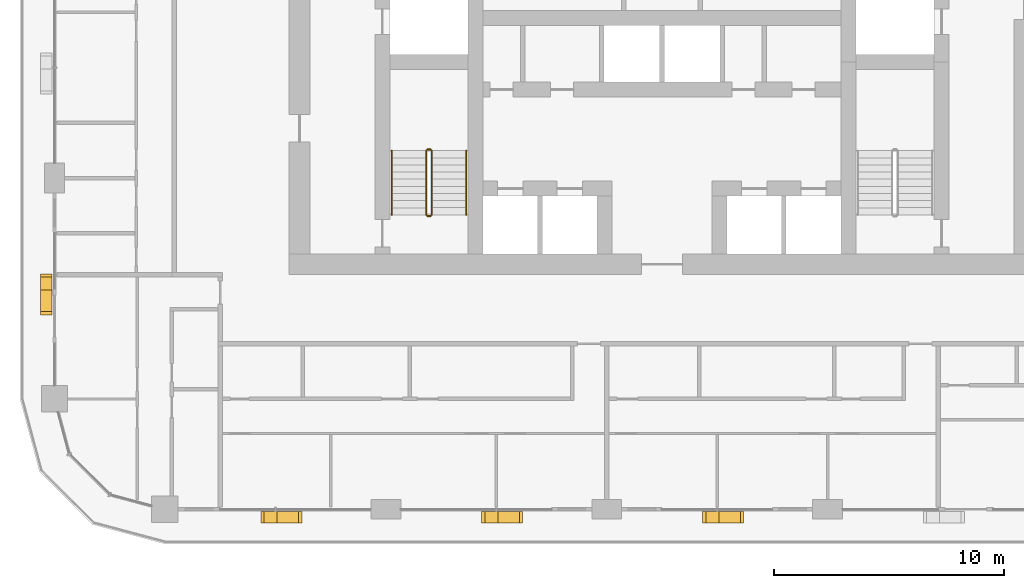
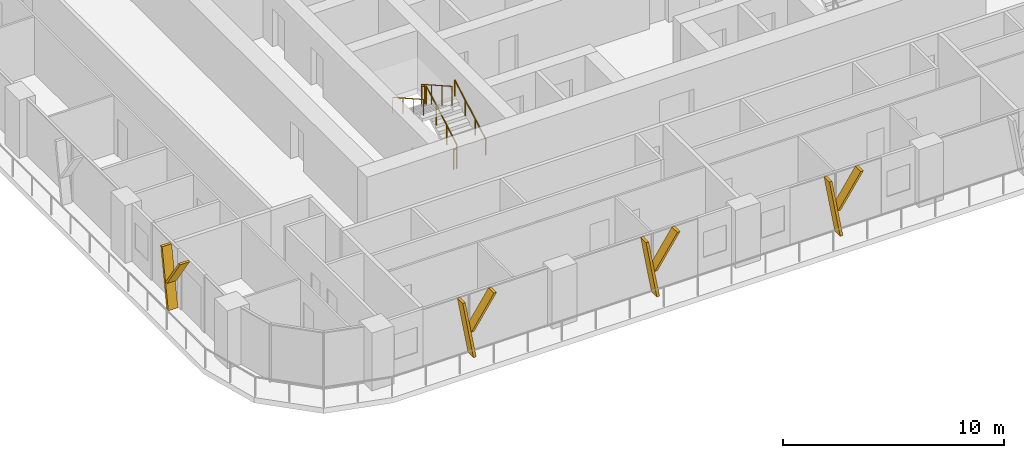
# One storey, part 16 of 21: 8 shading devices, 6 railings.
"""IFC4 building model written with IfcOpenShell, lengths in metres."""

import ifcopenshell
import ifcopenshell.guid

model = None  # the IFC model being written
_history = None  # IfcOwnerHistory: only IFC2X3 demands one
_inside = {}  # id of a spatial element -> (the spatial element, [elements in it])
_under = {}  # id of a project, library or spatial element -> (it, [spatial elements below it])
_declared = {}  # id of a project -> (the project, [libraries it declares])
_typed = {}  # id of a type object -> (the type object, [elements of that type])
_made_of = {}  # id of a material, layer set ... -> (it, [elements and type objects made of it])


def new_model(schema):
    """Start an empty IFC model of exactly this schema.

    Asked for "IFC4X3", IfcOpenShell would pick the latest addendum, in which some entities
    have other attributes; the version numbers below select the first issue.
    IFC2X3 requires an IfcOwnerHistory on every rooted entity: one is made here for all.
    """
    global model, _history
    if schema == "IFC4X3":
        model = ifcopenshell.file(schema_version=(4, 3, 0, 0))
    else:
        model = ifcopenshell.file(schema=schema)
    _inside.clear()
    _under.clear()
    _declared.clear()
    _typed.clear()
    _made_of.clear()
    _history = None
    if model.schema == "IFC2X3":
        org = make("IfcOrganization", Name="unknown")
        user = make(
            "IfcPersonAndOrganization",
            ThePerson=make("IfcPerson", FamilyName="unknown"),
            TheOrganization=org,
        )
        app = make(
            "IfcApplication",
            ApplicationDeveloper=org,
            Version="unknown",
            ApplicationFullName="unknown",
            ApplicationIdentifier="unknown",
        )
        _history = make(
            "IfcOwnerHistory",
            OwningUser=user,
            OwningApplication=app,
            ChangeAction="ADDED",
            CreationDate=0,
        )
    return model


def make(cls, **values):
    """One entity of the class cls with the attributes given. An attribute that is None is left unset."""
    return model.create_entity(
        cls, **{name: value for name, value in values.items() if value is not None}
    )


def rooted(cls, **values):
    """An entity with a GlobalId (a new one), such as an element, a storey or a relation."""
    return make(cls, GlobalId=ifcopenshell.guid.new(), OwnerHistory=_history, **values)


def si_unit(unit_type, name, prefix=None):
    """IfcSIUnit, for example si_unit("LENGTHUNIT", "METRE", prefix="MILLI")."""
    return make("IfcSIUnit", UnitType=unit_type, Prefix=prefix, Name=name)


def assignment(units):
    """IfcUnitAssignment: the units of a project."""
    return None if units is None else make("IfcUnitAssignment", Units=units)


def point(xyz):
    """IfcCartesianPoint."""
    return None if xyz is None else make("IfcCartesianPoint", Coordinates=xyz)


def direction(xyz):
    """IfcDirection."""
    return None if xyz is None else make("IfcDirection", DirectionRatios=xyz)


def frame(location, z_axis=None, x_axis=None):
    """IfcAxis2Placement3D, a coordinate frame: its origin and axes. An axis left out is left unset."""
    return make(
        "IfcAxis2Placement3D",
        Location=point(location),
        Axis=direction(z_axis),
        RefDirection=direction(x_axis),
    )


def frame_2d(location, x_axis=None):
    """IfcAxis2Placement2D, a coordinate frame in the plane: its origin and x axis."""
    return make(
        "IfcAxis2Placement2D", Location=point(location), RefDirection=direction(x_axis)
    )


def origin():
    """The frame at (0, 0, 0) with its axes left unset."""
    return frame((0.0, 0.0, 0.0))


def origin_2d():
    """The frame at (0, 0) in the plane with its x axis left unset."""
    return frame_2d((0.0, 0.0))


def place(relative_to, where):
    """IfcLocalPlacement: puts the frame where relative to a parent placement (None: the world)."""
    return make(
        "IfcLocalPlacement", PlacementRelTo=relative_to, RelativePlacement=where
    )


def context(
    kind, dimensions, precision=None, world=None, true_north=None, identifier=None
):
    """IfcGeometricRepresentationContext, for example the 3D "Model" context."""
    return make(
        "IfcGeometricRepresentationContext",
        ContextIdentifier=identifier,
        ContextType=kind,
        CoordinateSpaceDimension=dimensions,
        Precision=precision,
        WorldCoordinateSystem=world,
        TrueNorth=true_north,
    )


def subcontext(parent, identifier, kind, view, scale=None):
    """IfcGeometricRepresentationSubContext, for example "Body" below "Model"."""
    return make(
        "IfcGeometricRepresentationSubContext",
        ContextIdentifier=identifier,
        ContextType=kind,
        ParentContext=parent,
        TargetScale=scale,
        TargetView=view,
    )


def project(units=None, contexts=None):
    """IfcProject with its units and contexts."""
    return rooted(
        "IfcProject",
        Name="project",
        RepresentationContexts=contexts,
        UnitsInContext=assignment(units),
    )


def spatial(cls, under=None, at=None, **own):
    """A site, building, storey or space (cls), placed at a placement, below another one or the project."""
    s = rooted(cls, ObjectPlacement=at, **own)
    if under is not None:
        _under.setdefault(under.id(), (under, []))[1].append(s)
    return s


def polyline(points):
    """IfcPolyline through the points."""
    return make("IfcPolyline", Points=[point(p) for p in points])


def profile(cls, at=None, kind="AREA", **sizes):
    """A parametric profile (cls). Its sizes go by their IFC names, for example OverallWidth=200.0."""
    return make(cls, ProfileType=kind, Position=at, **sizes)


def circle(**sizes):
    """IfcCircleProfileDef."""
    return profile("IfcCircleProfileDef", **sizes)


def outline(outer, holes=None, kind="AREA"):
    """IfcArbitraryClosedProfileDef: a profile drawn as a closed curve; with holes, ...WithVoids."""
    if holes is None:
        return make("IfcArbitraryClosedProfileDef", ProfileType=kind, OuterCurve=outer)
    return make(
        "IfcArbitraryProfileDefWithVoids",
        ProfileType=kind,
        OuterCurve=outer,
        InnerCurves=holes,
    )


def extrude(swept, where, along, depth):
    """IfcExtrudedAreaSolid: the profile swept, set in the frame where, extruded along a direction by depth."""
    return make(
        "IfcExtrudedAreaSolid",
        SweptArea=swept,
        Position=where,
        ExtrudedDirection=direction(along),
        Depth=depth,
    )


def shape(context_of_items, identifier, shape_type, items):
    """IfcShapeRepresentation: the items that make up one representation, for example the "Body"."""
    return make(
        "IfcShapeRepresentation",
        ContextOfItems=context_of_items,
        RepresentationIdentifier=identifier,
        RepresentationType=shape_type,
        Items=items,
    )


def material(Name=None, Category=None):
    """IfcMaterial."""
    return make("IfcMaterial", Name=Name, Category=Category)


def made_of(thing, what):
    """Note that an element or type object is made of a material, layer set ...; save() writes the relation."""
    if what is not None:
        _made_of.setdefault(what.id(), (what, []))[1].append(thing)
    return thing


def type_object(cls, material=None, **own):
    """A type object (cls), such as IfcWallType, which elements share."""
    return made_of(rooted(cls, **own), material)


def element(
    cls,
    number,
    at=None,
    inside=None,
    cuts=None,
    type_object=None,
    material=None,
    context=None,
    identifier="Body",
    shape_type=None,
    held_by="IfcProductDefinitionShape",
    body=None,
    shapes=None,
    **own,
):
    """One element of the class cls, such as IfcWall. Its Tag is "e" and its number.

    at: its placement. inside: the storey or other place that contains it. cuts: it is an
    opening in that element (IfcRelVoidsElement). A single representation is given by context,
    identifier, shape_type and body (its items); several are given by shapes. held_by: the class
    of the entity that holds the representations. save() writes the other relations.
    """
    e = rooted(cls, Tag="e%d" % number, ObjectPlacement=at, **own)
    if body is not None:
        shapes = [shape(context, identifier, shape_type, body)]
    if shapes is not None:
        e.Representation = make(held_by, Representations=shapes)
    if inside is not None:
        _inside.setdefault(inside.id(), (inside, []))[1].append(e)
    if cuts is not None:
        rooted(
            "IfcRelVoidsElement", RelatingBuildingElement=cuts, RelatedOpeningElement=e
        )
    if type_object is not None:
        _typed.setdefault(type_object.id(), (type_object, []))[1].append(e)
    return made_of(e, material)


def aggregate(whole, parts):
    """IfcRelAggregates: a whole, such as a stair, and the parts it consists of."""
    return rooted("IfcRelAggregates", RelatingObject=whole, RelatedObjects=parts)


def save(model, path):
    """Write the relations noted so far, then the file.

    IfcRelAggregates (storeys below a building ...), IfcRelContainedInSpatialStructure (elements
    in a storey), IfcRelDefinesByType, IfcRelAssociatesMaterial and IfcRelDeclares: one each for
    every whole, place, type object, material and project.
    """
    for whole, parts in _under.values():
        aggregate(whole, parts)
    for where, things in _inside.values():
        rooted(
            "IfcRelContainedInSpatialStructure",
            RelatedElements=things,
            RelatingStructure=where,
        )
    for kind, things in _typed.values():
        rooted("IfcRelDefinesByType", RelatedObjects=things, RelatingType=kind)
    for what, things in _made_of.values():
        rooted("IfcRelAssociatesMaterial", RelatedObjects=things, RelatingMaterial=what)
    for by, libraries in _declared.values():
        rooted("IfcRelDeclares", RelatingContext=by, RelatedDefinitions=libraries)
    model.write(path)


model = new_model("IFC4")

# Units and contexts
model_context = context("Model", 3, precision=1e-05, world=origin(), true_north=direction((0.0, 1.0)))
body_context = subcontext(model_context, "Body", "Model", "MODEL_VIEW")
ifc_project = project(units=[si_unit("LENGTHUNIT", "METRE"), si_unit("AREAUNIT", "SQUARE_METRE"), si_unit("VOLUMEUNIT", "CUBIC_METRE"), si_unit("PLANEANGLEUNIT", "RADIAN"), si_unit("MASSUNIT", "GRAM", prefix="KILO")], contexts=[model_context])

# Site, building, storey
site_placement = place(None, origin())
site = spatial("IfcSite", under=ifc_project, at=site_placement, CompositionType="ELEMENT")
building_placement = place(site_placement, origin())
building = spatial("IfcBuilding", under=site, at=building_placement, Name="Madar Terraces", CompositionType="ELEMENT")
storey_placement = place(building_placement, frame((0.0, 0.0, 89.199951171875)))
storey = spatial("IfcBuildingStorey", under=building, at=storey_placement, Name="L22", CompositionType="ELEMENT", Elevation=89.199951171875)

# Shading devices
ifc_material_1 = material(Name="Aluminium, black anodised", Category="aluminium")
shading_device_type = type_object("IfcShadingDeviceType", Name="Facade fin blade 140 x 500", PredefinedType="USERDEFINED", material=ifc_material_1)
shading_device_1_placement = place(storey_placement, frame((14.330078125, 4.449951171875, 0.0), z_axis=(0.0, 0.0, 1.0), x_axis=(1.0, 0.0, 0.0)))
element("IfcShadingDevice", 1, at=shading_device_1_placement, inside=storey, type_object=shading_device_type, Name="FIN L22 S1", ObjectType="FIN", PredefinedType="USERDEFINED", context=body_context, shape_type="SweptSolid", body=[
    extrude(outline(polyline([(0.0, 0.0), (0.139892578125, 0.0), (-0.42431640625, 3.199951171875), (-0.564208984375, 3.199951171875), (0.0, 0.0)])), frame((0.0, 0.25, 0.0), z_axis=(0.0, -1.0, 0.0), x_axis=(1.0, 0.0, 0.0)), (0.0, 0.0, 1.0), 0.5),
])
shading_device_2_placement = place(storey_placement, frame((14.216064453125, 4.449951171875, 1.43994140625), z_axis=(0.0, 0.0, 1.0), x_axis=(1.0, 0.0, 0.0)))
element("IfcShadingDevice", 2, at=shading_device_2_placement, inside=storey, type_object=shading_device_type, Name="FIN L22 S1 branch", ObjectType="FIN", PredefinedType="USERDEFINED", context=body_context, shape_type="SweptSolid", body=[
    extrude(outline(polyline([(0.0, 0.0), (0.14013671875, 0.0), (1.32958984375, 1.760009765625), (1.189697265625, 1.760009765625), (0.0, 0.0)])), frame((0.0, 0.25, 0.0), z_axis=(0.0, -1.0, 0.0), x_axis=(1.0, 0.0, 0.0)), (0.0, 0.0, 1.0), 0.5),
])
shading_device_3_placement = place(storey_placement, frame((23.929931640625, 4.449951171875, 0.0), z_axis=(0.0, 0.0, 1.0), x_axis=(1.0, 0.0, 0.0)))
element("IfcShadingDevice", 3, at=shading_device_3_placement, inside=storey, type_object=shading_device_type, Name="FIN L22 S2", ObjectType="FIN", PredefinedType="USERDEFINED", context=body_context, shape_type="SweptSolid", body=[
    extrude(outline(polyline([(0.0, 0.0), (0.14013671875, 0.0), (-0.42431640625, 3.199951171875), (-0.564208984375, 3.199951171875), (0.0, 0.0)])), frame((0.0, 0.25, 0.0), z_axis=(0.0, -1.0, 0.0), x_axis=(1.0, 0.0, 0.0)), (0.0, 0.0, 1.0), 0.5),
])
shading_device_4_placement = place(storey_placement, frame((23.816162109375, 4.449951171875, 1.43994140625), z_axis=(0.0, 0.0, 1.0), x_axis=(1.0, 0.0, 0.0)))
element("IfcShadingDevice", 4, at=shading_device_4_placement, inside=storey, type_object=shading_device_type, Name="FIN L22 S2 branch", ObjectType="FIN", PredefinedType="USERDEFINED", context=body_context, shape_type="SweptSolid", body=[
    extrude(outline(polyline([(0.0, 0.0), (0.139892578125, 0.0), (1.32958984375, 1.760009765625), (1.189697265625, 1.760009765625), (0.0, 0.0)])), frame((0.0, 0.25, 0.0), z_axis=(0.0, -1.0, 0.0), x_axis=(1.0, 0.0, 0.0)), (0.0, 0.0, 1.0), 0.5),
])
shading_device_5_placement = place(storey_placement, frame((33.530029296875, 4.449951171875, 0.0), z_axis=(0.0, 0.0, 1.0), x_axis=(1.0, 0.0, 0.0)))
element("IfcShadingDevice", 5, at=shading_device_5_placement, inside=storey, type_object=shading_device_type, Name="FIN L22 S3", ObjectType="FIN", PredefinedType="USERDEFINED", context=body_context, shape_type="SweptSolid", body=[
    extrude(outline(polyline([(0.0, 0.0), (0.139892578125, 0.0), (-0.42431640625, 3.199951171875), (-0.564208984375, 3.199951171875), (0.0, 0.0)])), frame((0.0, 0.25, 0.0), z_axis=(0.0, -1.0, 0.0), x_axis=(1.0, 0.0, 0.0)), (0.0, 0.0, 1.0), 0.5),
])
shading_device_6_placement = place(storey_placement, frame((33.416015625, 4.449951171875, 1.43994140625), z_axis=(0.0, 0.0, 1.0), x_axis=(1.0, 0.0, 0.0)))
element("IfcShadingDevice", 6, at=shading_device_6_placement, inside=storey, type_object=shading_device_type, Name="FIN L22 S3 branch", ObjectType="FIN", PredefinedType="USERDEFINED", context=body_context, shape_type="SweptSolid", body=[
    extrude(outline(polyline([(0.0, 0.0), (0.14013671875, 0.0), (1.32958984375, 1.760009765625), (1.189697265625, 1.760009765625), (0.0, 0.0)])), frame((0.0, 0.25, 0.0), z_axis=(0.0, -1.0, 0.0), x_axis=(1.0, 0.0, 0.0)), (0.0, 0.0, 1.0), 0.5),
])
shading_device_7_placement = place(storey_placement, frame((4.449951171875, 14.469970703125, 0.0), z_axis=(0.0, 0.0, 1.0), x_axis=(0.0, -1.0, 0.0)))
element("IfcShadingDevice", 7, at=shading_device_7_placement, inside=storey, type_object=shading_device_type, Name="FIN L22 W4", ObjectType="FIN", PredefinedType="USERDEFINED", context=body_context, shape_type="SweptSolid", body=[
    extrude(outline(polyline([(0.0, 0.0), (0.139892578125, 0.0), (-0.42431640625, 3.199951171875), (-0.564208984375, 3.199951171875), (0.0, 0.0)])), frame((0.0, 0.25, 0.0), z_axis=(0.0, -1.0, 0.0), x_axis=(1.0, 0.0, 0.0)), (0.0, 0.0, 1.0), 0.5),
])
shading_device_8_placement = place(storey_placement, frame((4.449951171875, 14.583984375, 1.43994140625), z_axis=(0.0, 0.0, 1.0), x_axis=(0.0, -1.0, 0.0)))
element("IfcShadingDevice", 8, at=shading_device_8_placement, inside=storey, type_object=shading_device_type, Name="FIN L22 W4 branch", ObjectType="FIN", PredefinedType="USERDEFINED", context=body_context, shape_type="SweptSolid", body=[
    extrude(outline(polyline([(0.0, 0.0), (0.14013671875, 0.0), (1.32958984375, 1.760009765625), (1.189697265625, 1.760009765625), (0.0, 0.0)])), frame((0.0, 0.25, 0.0), z_axis=(0.0, -1.0, 0.0), x_axis=(1.0, 0.0, 0.0)), (0.0, 0.0, 1.0), 0.5),
])

# Railings
ifc_material_2 = material(Name="Stainless steel railing", Category="steel")
railing_type_1 = type_object("IfcRailingType", Name="Stair guard 1100", PredefinedType="GUARDRAIL", material=ifc_material_2)
railing_1_placement = place(storey_placement, frame((21.199951171875, 17.60009765625, 0.175048828125)))
element("IfcRailing", 9, at=railing_1_placement, inside=storey, type_object=railing_type_1, Name="L22 ST1 stair guard 1", PredefinedType="GUARDRAIL", context=body_context, shape_type="SweptSolid", body=[
    extrude(circle(Radius=0.02392578125, at=origin_2d()), frame((0.0, 0.0, 1.076171875), z_axis=(0.0, 0.870815363784, 0.491610213684), x_axis=(-1.0, 0.0, 0.0)), (0.0, 0.0, 1.0), 3.20361328125),
    extrude(circle(Radius=0.02099609375, at=origin_2d()), origin(), (0.0, 0.0, 1.0), 1.052001953125),
    extrude(circle(Radius=0.02099609375, at=origin_2d()), frame((0.0, 0.929931640625, 0.52490234375)), (0.0, 0.0, 1.0), 1.052001953125),
    extrude(circle(Radius=0.02099609375, at=origin_2d()), frame((0.0, 1.85986328125, 1.050048828125)), (0.0, 0.0, 1.0), 1.052001953125),
    extrude(circle(Radius=0.02099609375, at=origin_2d()), frame((0.0, 2.789794921875, 1.574951171875)), (0.0, 0.0, 1.0), 1.052001953125),
])
railing_2_placement = place(storey_placement, frame((21.14990234375, 20.43994140625, 1.75)))
element("IfcRailing", 10, at=railing_2_placement, inside=storey, type_object=railing_type_1, Name="L22 ST1 stair guard 2", PredefinedType="GUARDRAIL", context=body_context, shape_type="SweptSolid", body=[
    extrude(circle(Radius=0.02392578125, at=origin_2d()), frame((0.0, 0.0, 1.076171875), z_axis=(-1.0, 0.0, 0.0), x_axis=(0.0, -1.0, 0.0)), (0.0, 0.0, 1.0), 0.14990234375),
    extrude(circle(Radius=0.02099609375, at=origin_2d()), origin(), (0.0, 0.0, 1.0), 1.052001953125),
    extrude(circle(Radius=0.02099609375, at=origin_2d()), frame((-0.14990234375, 0.0, 0.0)), (0.0, 0.0, 1.0), 1.052001953125),
])
railing_3_placement = place(storey_placement, frame((20.949951171875, 20.389892578125, 1.925048828125)))
element("IfcRailing", 11, at=railing_3_placement, inside=storey, type_object=railing_type_1, Name="L22 ST1 stair guard 3", PredefinedType="GUARDRAIL", context=body_context, shape_type="SweptSolid", body=[
    extrude(circle(Radius=0.02392578125, at=origin_2d()), frame((0.0, 0.0, 1.076171875), z_axis=(0.0, -0.870815363784, 0.491610213684), x_axis=(1.0, 0.0, 0.0)), (0.0, 0.0, 1.0), 3.20361328125),
    extrude(circle(Radius=0.02099609375, at=origin_2d()), origin(), (0.0, 0.0, 1.0), 1.052001953125),
    extrude(circle(Radius=0.02099609375, at=origin_2d()), frame((0.0, -0.929931640625, 0.52490234375)), (0.0, 0.0, 1.0), 1.052001953125),
    extrude(circle(Radius=0.02099609375, at=origin_2d()), frame((0.0, -1.85986328125, 1.050048828125)), (0.0, 0.0, 1.0), 1.052001953125),
    extrude(circle(Radius=0.02099609375, at=origin_2d()), frame((0.0, -2.789794921875, 1.574951171875)), (0.0, 0.0, 1.0), 1.052001953125),
])
railing_4_placement = place(storey_placement, frame((21.14990234375, 17.550048828125, 0.0)))
element("IfcRailing", 12, at=railing_4_placement, inside=storey, type_object=railing_type_1, Name="L22 ST1 stair guard 4", PredefinedType="GUARDRAIL", context=body_context, shape_type="SweptSolid", body=[
    extrude(circle(Radius=0.02392578125, at=origin_2d()), frame((0.0, 0.0, 1.076171875), z_axis=(-1.0, 0.0, 0.0), x_axis=(0.0, -1.0, 0.0)), (0.0, 0.0, 1.0), 0.14990234375),
    extrude(circle(Radius=0.02099609375, at=origin_2d()), origin(), (0.0, 0.0, 1.0), 1.052001953125),
    extrude(circle(Radius=0.02099609375, at=origin_2d()), frame((-0.14990234375, 0.0, 0.0)), (0.0, 0.0, 1.0), 1.052001953125),
])
ifc_material_3 = material(Name="Stainless steel railing", Category="steel")
railing_type_2 = type_object("IfcRailingType", Name="Stair handrail 900", PredefinedType="HANDRAIL", material=ifc_material_3)
railing_5_placement = place(storey_placement, frame((22.699951171875, 17.60009765625, 0.175048828125)))
element("IfcRailing", 13, at=railing_5_placement, inside=storey, type_object=railing_type_2, Name="L22 ST1 stair handrail 1", PredefinedType="HANDRAIL", context=body_context, shape_type="SweptSolid", body=[
    extrude(circle(Radius=0.02392578125, at=origin_2d()), frame((0.0, 0.0, 0.8759765625), z_axis=(0.0, 0.870815363784, 0.491610213684), x_axis=(-1.0, 0.0, 0.0)), (0.0, 0.0, 1.0), 3.20361328125),
    extrude(circle(Radius=0.02099609375, at=origin_2d()), origin(), (0.0, 0.0, 1.0), 0.851806640625),
    extrude(circle(Radius=0.02099609375, at=origin_2d()), frame((0.0, 0.929931640625, 0.52490234375)), (0.0, 0.0, 1.0), 0.851806640625),
    extrude(circle(Radius=0.02099609375, at=origin_2d()), frame((0.0, 1.85986328125, 1.050048828125)), (0.0, 0.0, 1.0), 0.851806640625),
    extrude(circle(Radius=0.02099609375, at=origin_2d()), frame((0.0, 2.789794921875, 1.574951171875)), (0.0, 0.0, 1.0), 0.851806640625),
])
railing_6_placement = place(storey_placement, frame((19.449951171875, 20.389892578125, 1.925048828125)))
element("IfcRailing", 14, at=railing_6_placement, inside=storey, type_object=railing_type_2, Name="L22 ST1 stair handrail 2", PredefinedType="HANDRAIL", context=body_context, shape_type="SweptSolid", body=[
    extrude(circle(Radius=0.02392578125, at=origin_2d()), frame((0.0, 0.0, 0.8759765625), z_axis=(0.0, -0.870815363784, 0.491610213684), x_axis=(1.0, 0.0, 0.0)), (0.0, 0.0, 1.0), 3.20361328125),
    extrude(circle(Radius=0.02099609375, at=origin_2d()), origin(), (0.0, 0.0, 1.0), 0.851806640625),
    extrude(circle(Radius=0.02099609375, at=origin_2d()), frame((0.0, -0.929931640625, 0.52490234375)), (0.0, 0.0, 1.0), 0.851806640625),
    extrude(circle(Radius=0.02099609375, at=origin_2d()), frame((0.0, -1.85986328125, 1.050048828125)), (0.0, 0.0, 1.0), 0.851806640625),
    extrude(circle(Radius=0.02099609375, at=origin_2d()), frame((0.0, -2.789794921875, 1.574951171875)), (0.0, 0.0, 1.0), 0.851806640625),
])

save(model, "model.ifc")
